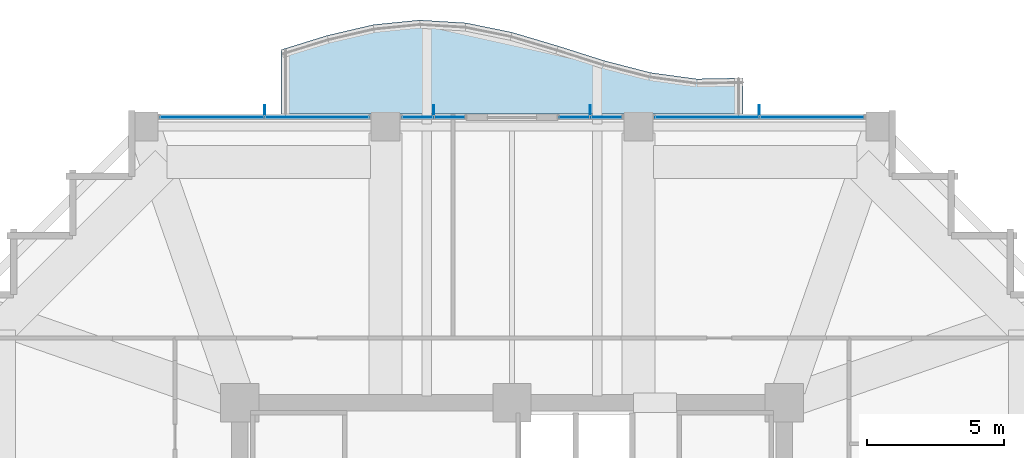
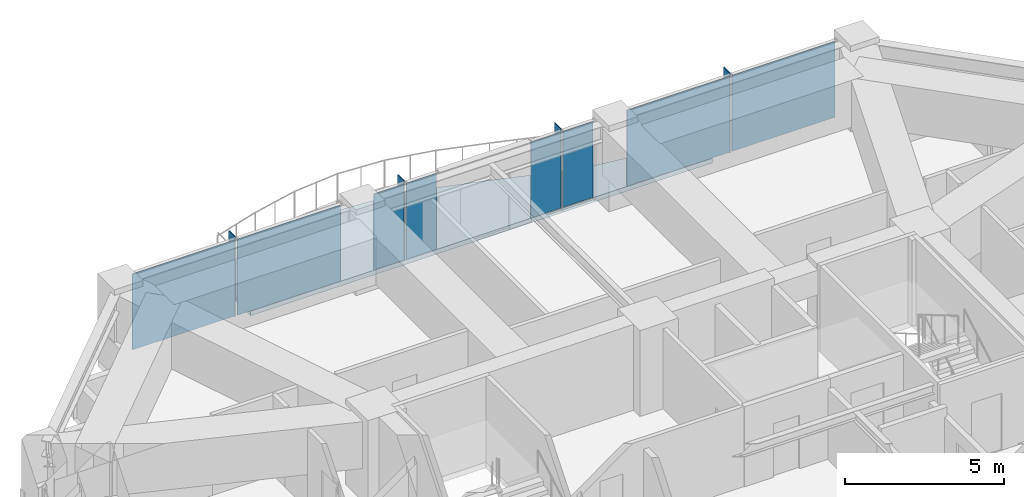
# One storey, part 29 of 34: 12 plates, 1 slab, 4 elements without a shape of their own.
"""IFC4 building model written with IfcOpenShell, lengths in metres."""

from ifc_helpers import new_model, si_unit, direction, frame, origin, origin_2d, place, context, subcontext, project, spatial, polyline, rectangle, outline, extrude, material, layer, layer_set, type_object, element, aggregate, save


model = new_model("IFC4")

# Units and contexts
model_context = context("Model", 3, precision=1e-05, world=origin(), true_north=direction((0.0, 1.0)))
body_context = subcontext(model_context, "Body", "Model", "MODEL_VIEW")
ifc_project = project(units=[si_unit("LENGTHUNIT", "METRE"), si_unit("AREAUNIT", "SQUARE_METRE"), si_unit("VOLUMEUNIT", "CUBIC_METRE"), si_unit("PLANEANGLEUNIT", "RADIAN"), si_unit("MASSUNIT", "GRAM", prefix="KILO")], contexts=[model_context])

# Site, building, storey
site_placement = place(None, origin())
site = spatial("IfcSite", under=ifc_project, at=site_placement, CompositionType="ELEMENT")
building_placement = place(site_placement, origin())
building = spatial("IfcBuilding", under=site, at=building_placement, Name="Kolvaren Belvedere", CompositionType="ELEMENT")
storey_placement = place(building_placement, frame((0.0, 0.0, 105.199951171875)))
storey = spatial("IfcBuildingStorey", under=building, at=storey_placement, Name="L30", CompositionType="ELEMENT", Elevation=105.199951171875)

# Curtain wall, plates
ifc_material_1 = material(Name="Anodised pale-metal aluminium AA 6063-T6", Category="aluminium")
curtain_wall_type = type_object("IfcCurtainWallType", Name="CW-Z2-MID", PredefinedType="NOTDEFINED", material=ifc_material_1)
curtain_wall_1_placement = place(storey_placement, origin())
curtain_wall_1 = element("IfcCurtainWall", 1, at=curtain_wall_1_placement, inside=storey, type_object=curtain_wall_type, Name="L30 Unitised Curtain Wall FCW-L30-N1-B1", PredefinedType="NOTDEFINED")
ifc_material_2 = material(Name="Low-iron triple insulated glass", Category="glass")
ifc_layer_1 = layer(ifc_material_2, 0.028076171875)
ifc_layer_set_1 = layer_set([ifc_layer_1], Name="Low-iron triple insulated glass")
plate_type_1 = type_object("IfcPlateType", Name="CW-PNL-VIS28", PredefinedType="CURTAIN_PANEL", material=ifc_layer_set_1)
plate_1_placement = place(storey_placement, frame((-10.9111328125, 20.280029296875, 0.080078125), z_axis=(0.0, 0.0, 1.0), x_axis=(1.0, 0.0, 0.0)))
plate_1 = element("IfcPlate", 2, at=plate_1_placement, type_object=plate_type_1, Name="FCW-L30-N1-B1 Vision Glazing Panel 1", PredefinedType="CURTAIN_PANEL", context=body_context, shape_type="SweptSolid", body=[
    extrude(rectangle(XDim=3.742431640625, YDim=0.028076171875, at=origin_2d()), origin(), (0.0, 0.0, 1.0), 2.919921875),
])
plate_2_placement = place(storey_placement, frame((-7.0888671875, 20.280029296875, 0.080078125), z_axis=(0.0, 0.0, 1.0), x_axis=(1.0, 0.0, 0.0)))
plate_2 = element("IfcPlate", 3, at=plate_2_placement, type_object=plate_type_1, Name="FCW-L30-N1-B1 Vision Glazing Panel 2", PredefinedType="CURTAIN_PANEL", context=body_context, shape_type="SweptSolid", body=[
    extrude(rectangle(XDim=3.742431640625, YDim=0.028076171875, at=origin_2d()), origin(), (0.0, 0.0, 1.0), 2.919921875),
])
aggregate(curtain_wall_1, [plate_1, plate_2])

curtain_wall_2_placement = place(storey_placement, origin())
curtain_wall_2 = element("IfcCurtainWall", 4, at=curtain_wall_2_placement, inside=storey, type_object=curtain_wall_type, Name="L30 Unitised Curtain Wall FCW-L30-N1-B2", PredefinedType="NOTDEFINED")
plate_3_placement = place(storey_placement, frame((-3.43701171875, 20.280029296875, 0.080078125), z_axis=(0.0, 0.0, 1.0), x_axis=(1.0, 0.0, 0.0)))
plate_3 = element("IfcPlate", 5, at=plate_3_placement, type_object=plate_type_1, Name="FCW-L30-N1-B2 Vision Glazing Panel 1", PredefinedType="CURTAIN_PANEL", context=body_context, shape_type="SweptSolid", body=[
    extrude(rectangle(XDim=1.09130859375, YDim=0.028076171875, at=origin_2d()), origin(), (0.0, 0.0, 1.0), 2.919921875),
])
plate_4_placement = place(storey_placement, frame((-2.265625, 20.280029296875, 0.080078125), z_axis=(0.0, 0.0, 1.0), x_axis=(1.0, 0.0, 0.0)))
plate_4 = element("IfcPlate", 6, at=plate_4_placement, type_object=plate_type_1, Name="FCW-L30-N1-B2 Vision Glazing Panel 2", PredefinedType="CURTAIN_PANEL", context=body_context, shape_type="SweptSolid", body=[
    extrude(rectangle(XDim=1.09130859375, YDim=0.028076171875, at=origin_2d()), origin(), (0.0, 0.0, 1.0), 2.919921875),
])
aggregate(curtain_wall_2, [plate_3, plate_4])

curtain_wall_3_placement = place(storey_placement, origin())
curtain_wall_3 = element("IfcCurtainWall", 7, at=curtain_wall_3_placement, inside=storey, type_object=curtain_wall_type, Name="L30 Unitised Curtain Wall FCW-L30-N2-B1", PredefinedType="NOTDEFINED")
plate_5_placement = place(storey_placement, frame((2.265625, 20.280029296875, 0.080078125), z_axis=(0.0, 0.0, 1.0), x_axis=(1.0, 0.0, 0.0)))
plate_5 = element("IfcPlate", 8, at=plate_5_placement, type_object=plate_type_1, Name="FCW-L30-N2-B1 Vision Glazing Panel 1", PredefinedType="CURTAIN_PANEL", context=body_context, shape_type="SweptSolid", body=[
    extrude(rectangle(XDim=1.09130859375, YDim=0.028076171875, at=origin_2d()), origin(), (0.0, 0.0, 1.0), 2.919921875),
])
plate_6_placement = place(storey_placement, frame((3.43701171875, 20.280029296875, 0.080078125), z_axis=(0.0, 0.0, 1.0), x_axis=(1.0, 0.0, 0.0)))
plate_6 = element("IfcPlate", 9, at=plate_6_placement, type_object=plate_type_1, Name="FCW-L30-N2-B1 Vision Glazing Panel 2", PredefinedType="CURTAIN_PANEL", context=body_context, shape_type="SweptSolid", body=[
    extrude(rectangle(XDim=1.09130859375, YDim=0.028076171875, at=origin_2d()), origin(), (0.0, 0.0, 1.0), 2.919921875),
])
aggregate(curtain_wall_3, [plate_5, plate_6])

curtain_wall_4_placement = place(storey_placement, origin())
curtain_wall_4 = element("IfcCurtainWall", 10, at=curtain_wall_4_placement, inside=storey, type_object=curtain_wall_type, Name="L30 Unitised Curtain Wall FCW-L30-N2-B2", PredefinedType="NOTDEFINED")
plate_7_placement = place(storey_placement, frame((7.0888671875, 20.280029296875, 0.080078125), z_axis=(0.0, 0.0, 1.0), x_axis=(1.0, 0.0, 0.0)))
plate_7 = element("IfcPlate", 11, at=plate_7_placement, type_object=plate_type_1, Name="FCW-L30-N2-B2 Vision Glazing Panel 1", PredefinedType="CURTAIN_PANEL", context=body_context, shape_type="SweptSolid", body=[
    extrude(rectangle(XDim=3.742431640625, YDim=0.028076171875, at=origin_2d()), origin(), (0.0, 0.0, 1.0), 2.919921875),
])
plate_8_placement = place(storey_placement, frame((10.9111328125, 20.280029296875, 0.080078125), z_axis=(0.0, 0.0, 1.0), x_axis=(1.0, 0.0, 0.0)))
plate_8 = element("IfcPlate", 12, at=plate_8_placement, type_object=plate_type_1, Name="FCW-L30-N2-B2 Vision Glazing Panel 2", PredefinedType="CURTAIN_PANEL", context=body_context, shape_type="SweptSolid", body=[
    extrude(rectangle(XDim=3.742431640625, YDim=0.028076171875, at=origin_2d()), origin(), (0.0, 0.0, 1.0), 2.919921875),
])
aggregate(curtain_wall_4, [plate_7, plate_8])

# Plates
ifc_material_3 = material(Name="Anodised pale-metal aluminium AA 6063-T6", Category="aluminium")
ifc_layer_2 = layer(ifc_material_3, 0.033935546875)
ifc_layer_set_2 = layer_set([ifc_layer_2], Name="Anodised pale-metal aluminium AA 6063-T6")
plate_type_2 = type_object("IfcPlateType", Name="FIN-VERT-380", PredefinedType="USERDEFINED", material=ifc_layer_set_2)
for number, where, z_axis, x_axis, name in (
    (13, (-9.0, 20.52490234375, 0.0), (0.0, 0.0, 1.0), (0.0, 1.0, 0.0), "L30 Pale-Metal Vertical Shading Fin FCW-L30-N1-B1-1"),
    (14, (-2.851318359375, 20.52490234375, 0.0), (0.0, 0.0, 1.0), (0.0, 1.0, 0.0), "L30 Pale-Metal Vertical Shading Fin FCW-L30-N1-B2-1"),
    (15, (2.851318359375, 20.52490234375, 0.0), (0.0, 0.0, 1.0), (0.0, 1.0, 0.0), "L30 Pale-Metal Vertical Shading Fin FCW-L30-N2-B1-1"),
    (16, (9.0, 20.52490234375, 0.0), (0.0, 0.0, 1.0), (0.0, 1.0, 0.0), "L30 Pale-Metal Vertical Shading Fin FCW-L30-N2-B2-1"),
):
    element("IfcPlate", number, at=place(storey_placement, frame(where, z_axis=z_axis, x_axis=x_axis)), inside=storey, type_object=plate_type_2, Name=name, ObjectType="VERTICAL FIN", PredefinedType="USERDEFINED", context=body_context, shape_type="SweptSolid", body=[
        extrude(rectangle(XDim=0.3798828125, YDim=0.033935546875, at=origin_2d()), origin(), (0.0, 0.0, 1.0), 3.080078125),
    ])

# Slab
ifc_material_4 = material(Name="Concrete C50/60", Category="concrete")
ifc_layer_3 = layer(ifc_material_4, 0.179931640625)
ifc_layer_set_3 = layer_set([ifc_layer_3], Name="Concrete C50/60")
slab_type = type_object("IfcSlabType", Name="SL-BAL-180", PredefinedType="FLOOR", material=ifc_layer_set_3)
slab_placement = place(storey_placement, frame((0.0, 0.0, -0.219970703125)))
element("IfcSlab", 17, at=slab_placement, inside=storey, type_object=slab_type, Name="L30 Planted Balcony BAL-N", PredefinedType="FLOOR", context=body_context, shape_type="SweptSolid", body=[
    extrude(outline(polyline([(-8.39990234375, 20.39990234375), (-6.719970703125, 20.39990234375), (-5.0400390625, 20.39990234375), (-3.360107421875, 20.39990234375), (-1.679931640625, 20.39990234375), (0.0, 20.39990234375), (1.679931640625, 20.39990234375), (3.360107421875, 20.39990234375), (5.0400390625, 20.39990234375), (6.719970703125, 20.39990234375), (8.39990234375, 20.39990234375), (8.39990234375, 21.712890625), (6.719970703125, 21.67919921875), (5.0400390625, 21.90771484375), (3.360107421875, 22.34228515625), (1.679931640625, 22.87548828125), (0.0, 23.374755859375), (-1.679931640625, 23.71728515625), (-3.360107421875, 23.820068359375), (-5.0400390625, 23.65185546875), (-6.719970703125, 23.26025390625), (-8.39990234375, 22.739990234375), (-8.39990234375, 20.39990234375)])), origin(), (0.0, 0.0, 1.0), 0.179931640625),
])

save(model, "model.ifc")
